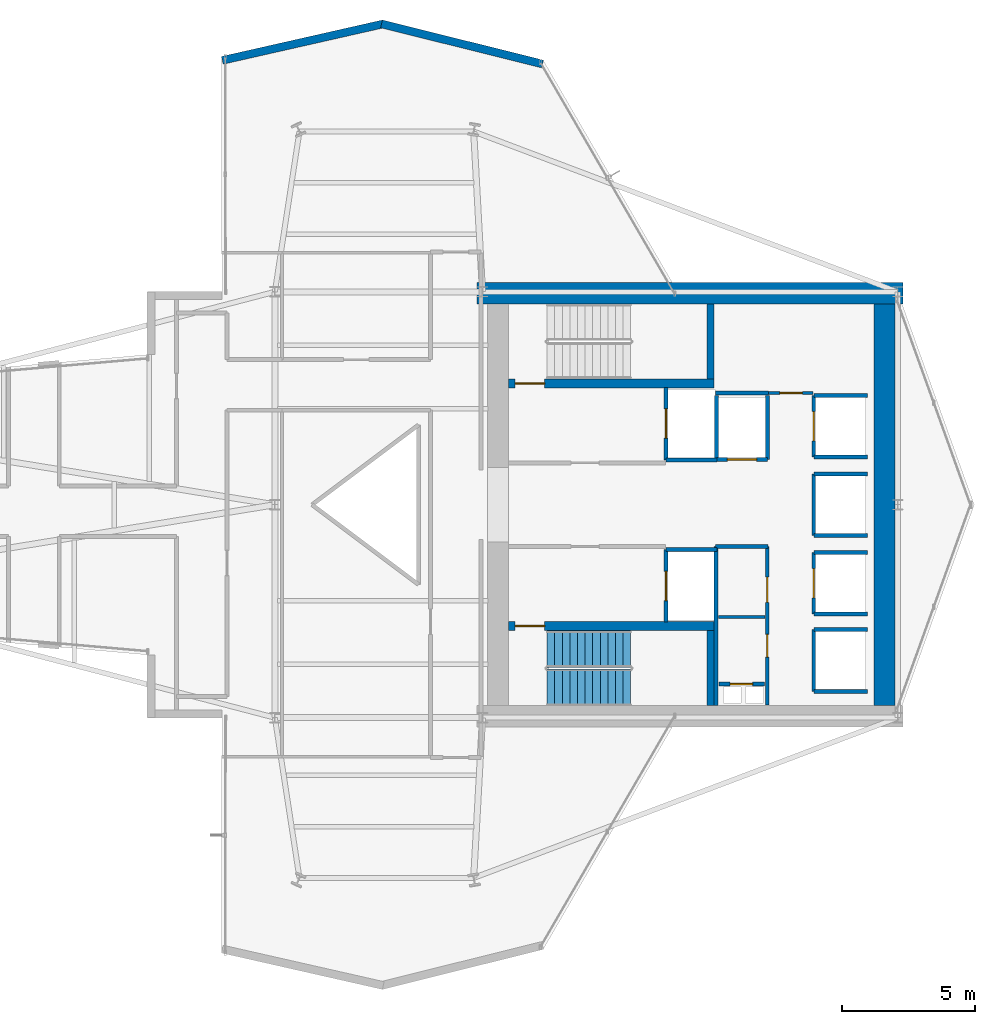
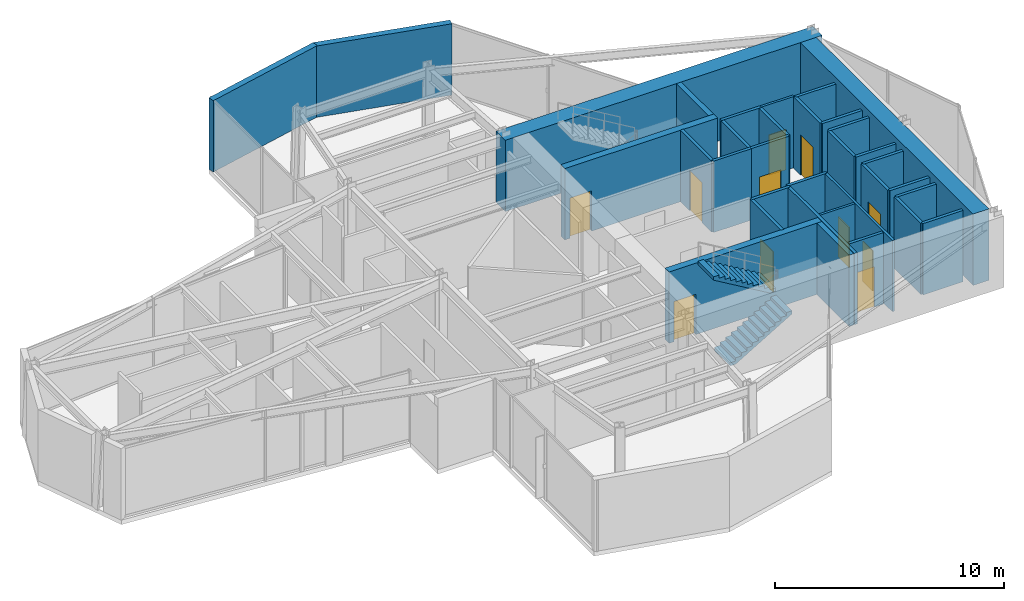
# One storey, part 23 of 25: 34 walls, 11 doors, 2 stair flights, 11 openings, 1 element without a shape of its own.
"""IFC4 building model written with IfcOpenShell, lengths in metres."""

from ifc_helpers import new_model, si_unit, direction, frame, frame_2d, origin, place, context, subcontext, project, spatial, polyline, rectangle, outline, extrude, material, layer, layer_set, type_object, element, fill, aggregate, save


model = new_model("IFC4")

# Units and contexts
model_context = context("Model", 3, precision=1e-05, world=origin(), true_north=direction((0.0, 1.0)))
body_context = subcontext(model_context, "Body", "Model", "MODEL_VIEW")
ifc_project = project(units=[si_unit("LENGTHUNIT", "METRE"), si_unit("AREAUNIT", "SQUARE_METRE"), si_unit("VOLUMEUNIT", "CUBIC_METRE"), si_unit("PLANEANGLEUNIT", "RADIAN"), si_unit("MASSUNIT", "GRAM", prefix="KILO")], contexts=[model_context])

# Site, building, storey
site_placement = place(None, origin())
site = spatial("IfcSite", under=ifc_project, at=site_placement, CompositionType="ELEMENT")
building_placement = place(site_placement, origin())
building = spatial("IfcBuilding", under=site, at=building_placement, Name="Veymaron Broadcast Tower", CompositionType="ELEMENT")
storey_placement = place(building_placement, frame((0.0, 0.0, 173.550048828125)))
storey = spatial("IfcBuildingStorey", under=building, at=storey_placement, Name="L40", CompositionType="ELEMENT", Elevation=173.550048828125)

# Walls
ifc_material_1 = material(Name="Precast concrete C40/50 with mineral-wool insulation", Category="concrete")
ifc_layer_1 = layer(ifc_material_1, 0.300048828125)
ifc_layer_set_1 = layer_set([ifc_layer_1], Name="Precast concrete C40/50 with mineral-wool insulation")
wall_type_1 = type_object("IfcWallType", Name="WALL-EXT-300", PredefinedType="STANDARD", material=ifc_layer_set_1)
wall_1_placement = place(storey_placement, frame((41.254150390625, 40.55810546875, 0.0), z_axis=(0.0, 0.0, 1.0), x_axis=(-0.970319679145, 0.241825805619, 0.0)))
element("IfcWall", 1, at=wall_1_placement, inside=storey, type_object=wall_type_1, Name="L40 notched corner facade pier 6-1", PredefinedType="STANDARD", context=body_context, shape_type="SweptSolid", body=[
    extrude(rectangle(XDim=6.232177734375, YDim=0.300048828125, at=frame_2d((3.1162109375, 0.0))), origin(), (0.0, 0.0, 1.0), 3.81005859375),
])
wall_2_placement = place(storey_placement, frame((35.27197265625, 42.064453125, 0.0), z_axis=(0.0, 0.0, 1.0), x_axis=(-0.975288491541, -0.220935190199, 0.0)))
element("IfcWall", 2, at=wall_2_placement, inside=storey, type_object=wall_type_1, Name="L40 notched corner facade pier 7-1", PredefinedType="STANDARD", context=body_context, shape_type="SweptSolid", body=[
    extrude(rectangle(XDim=6.200439453125, YDim=0.300048828125, at=frame_2d((3.10009765625, 0.0))), origin(), (0.0, 0.0, 1.0), 3.81005859375),
])

# Wall, opening, door
ifc_material_2 = material(Name="Gypsum fireboard and steel stud framing", Category="steel")
ifc_layer_2 = layer(ifc_material_2, 0.14990234375)
ifc_layer_set_2 = layer_set([ifc_layer_2], Name="Gypsum fireboard and steel stud framing")
wall_type_2 = type_object("IfcWallType", Name="WALL-FIRE-150", PredefinedType="PARTITIONING", material=ifc_layer_set_2)
wall_3_placement = place(storey_placement, frame((45.89501953125, 25.68994140625, 0.0), z_axis=(0.0, 0.0, 1.0), x_axis=(0.0, 1.0, 0.0)))
wall_3 = element("IfcWall", 3, at=wall_3_placement, inside=storey, type_object=wall_type_2, Name="L40 partition IW-L40-SHW-FFL-1", PredefinedType="PARTITIONING", context=body_context, shape_type="SweptSolid", body=[
    extrude(rectangle(XDim=2.719970703125, YDim=0.14990234375, at=frame_2d((1.35986328125, 0.0))), origin(), (0.0, 0.0, 1.0), 3.81005859375),
])
opening_1_placement = place(wall_3_placement, frame((0.81005859375, 0.0, 0.0)))
opening_1 = element("IfcOpeningElement", 4, at=opening_1_placement, cuts=wall_3, Name="Opening LD", PredefinedType="OPENING", context=body_context, shape_type="SweptSolid", body=[
    extrude(rectangle(XDim=1.10009765625, YDim=2.14990234375, at=frame_2d((0.550048828125, 1.074951171875))), frame((0.0, 0.0849609375, 0.0), z_axis=(0.0, -1.0, 0.0), x_axis=(1.0, 0.0, 0.0)), (0.0, 0.0, 1.0), 0.169921875),
])
ifc_material_3 = material(Name="Brushed stainless steel AISI 304", Category="steel")
door_type_1 = type_object("IfcDoorType", Name="DOOR-LIFT-1100", OperationType="DOUBLE_DOOR_SLIDING", PredefinedType="DOOR", material=ifc_material_3)
door_1_placement = place(opening_1_placement, frame((1.10009765625, 0.0, 0.0), z_axis=(0.0, 0.0, 1.0), x_axis=(-1.0, 0.0, 0.0)))
door_1 = element("IfcDoor", 5, at=door_1_placement, inside=storey, type_object=door_type_1, Name="L40 door LD-L40-FFL-1", OperationType="DOUBLE_DOOR_SLIDING", OverallHeight=2.14990234375, OverallWidth=1.10009765625, PredefinedType="DOOR", context=body_context, shape_type="SweptSolid", body=[
    extrude(rectangle(XDim=1.10009765625, YDim=2.14990234375, at=frame_2d((0.550048828125, 1.074951171875))), frame((0.0, 0.02490234375, 0.0), z_axis=(0.0, -1.0, 0.0), x_axis=(1.0, 0.0, 0.0)), (0.0, 0.0, 1.0), 0.050048828125),
])
fill(opening_1, door_1)

# Wall
wall_4_placement = place(storey_placement, frame((45.89501953125, 25.68994140625, 0.0), z_axis=(0.0, 0.0, 1.0), x_axis=(1.0, 0.0, 0.0)))
element("IfcWall", 6, at=wall_4_placement, inside=storey, type_object=wall_type_2, Name="L40 partition IW-L40-SHS-FFL-1", PredefinedType="PARTITIONING", context=body_context, shape_type="SweptSolid", body=[
    extrude(rectangle(XDim=1.9150390625, YDim=0.14990234375, at=frame_2d((0.95751953125, 0.0))), origin(), (0.0, 0.0, 1.0), 3.81005859375),
])

# Wall, opening, door
wall_5_placement = place(storey_placement, frame((45.89501953125, 19.590087890625, 0.0), z_axis=(0.0, 0.0, 1.0), x_axis=(0.0, 1.0, 0.0)))
wall_5 = element("IfcWall", 7, at=wall_5_placement, inside=storey, type_object=wall_type_2, Name="L40 partition IW-L40-SHW-FFL-2", PredefinedType="PARTITIONING", context=body_context, shape_type="SweptSolid", body=[
    extrude(rectangle(XDim=2.719970703125, YDim=0.14990234375, at=frame_2d((1.35986328125, 0.0))), origin(), (0.0, 0.0, 1.0), 3.81005859375),
])
opening_2_placement = place(wall_5_placement, frame((0.81005859375, 0.0, 0.0)))
opening_2 = element("IfcOpeningElement", 8, at=opening_2_placement, cuts=wall_5, Name="Opening LD", PredefinedType="OPENING", context=body_context, shape_type="SweptSolid", body=[
    extrude(rectangle(XDim=1.10009765625, YDim=2.14990234375, at=frame_2d((0.550048828125, 1.074951171875))), frame((0.0, 0.0849609375, 0.0), z_axis=(0.0, -1.0, 0.0), x_axis=(1.0, 0.0, 0.0)), (0.0, 0.0, 1.0), 0.169921875),
])
door_2_placement = place(opening_2_placement, frame((1.10009765625, 0.0, 0.0), z_axis=(0.0, 0.0, 1.0), x_axis=(-1.0, 0.0, 0.0)))
door_2 = element("IfcDoor", 9, at=door_2_placement, inside=storey, type_object=door_type_1, Name="L40 door LD-L40-FFL-2", OperationType="DOUBLE_DOOR_SLIDING", OverallHeight=2.14990234375, OverallWidth=1.10009765625, PredefinedType="DOOR", context=body_context, shape_type="SweptSolid", body=[
    extrude(rectangle(XDim=1.10009765625, YDim=2.14990234375, at=frame_2d((0.550048828125, 1.074951171875))), frame((0.0, 0.02490234375, 0.0), z_axis=(0.0, -1.0, 0.0), x_axis=(1.0, 0.0, 0.0)), (0.0, 0.0, 1.0), 0.050048828125),
])
fill(opening_2, door_2)

# Wall
wall_6_placement = place(storey_placement, frame((45.89501953125, 22.31005859375, 0.0), z_axis=(0.0, 0.0, 1.0), x_axis=(1.0, 0.0, 0.0)))
element("IfcWall", 10, at=wall_6_placement, inside=storey, type_object=wall_type_2, Name="L40 partition IW-L40-SHN-FFL-2", PredefinedType="PARTITIONING", context=body_context, shape_type="SweptSolid", body=[
    extrude(rectangle(XDim=1.9150390625, YDim=0.14990234375, at=frame_2d((0.95751953125, 0.0))), origin(), (0.0, 0.0, 1.0), 3.81005859375),
])

# Wall, opening, door
wall_7_placement = place(storey_placement, frame((47.7900390625, 25.695068359375, 0.0), z_axis=(0.0, 0.0, 1.0), x_axis=(1.0, 0.0, 0.0)))
wall_7 = element("IfcWall", 11, at=wall_7_placement, inside=storey, type_object=wall_type_2, Name="L40 partition IW-L40-SHS-SL-1", PredefinedType="PARTITIONING", context=body_context, shape_type="SweptSolid", body=[
    extrude(rectangle(XDim=1.919921875, YDim=0.14990234375, at=frame_2d((0.9599609375, 0.0))), origin(), (0.0, 0.0, 1.0), 3.81005859375),
])
opening_3_placement = place(wall_7_placement, frame((0.409912109375, 0.0, 0.0)))
opening_3 = element("IfcOpeningElement", 12, at=opening_3_placement, cuts=wall_7, Name="Opening LD", PredefinedType="OPENING", context=body_context, shape_type="SweptSolid", body=[
    extrude(rectangle(XDim=1.10009765625, YDim=2.14990234375, at=frame_2d((0.550048828125, 1.074951171875))), frame((0.0, 0.0849609375, 0.0), z_axis=(0.0, -1.0, 0.0), x_axis=(1.0, 0.0, 0.0)), (0.0, 0.0, 1.0), 0.169921875),
])
door_3_placement = place(opening_3_placement, frame((1.10009765625, 0.0, 0.0), z_axis=(0.0, 0.0, 1.0), x_axis=(-1.0, 0.0, 0.0)))
door_3 = element("IfcDoor", 13, at=door_3_placement, inside=storey, type_object=door_type_1, Name="L40 door LD-L40-SL-1", OperationType="DOUBLE_DOOR_SLIDING", OverallHeight=2.14990234375, OverallWidth=1.10009765625, PredefinedType="DOOR", context=body_context, shape_type="SweptSolid", body=[
    extrude(rectangle(XDim=1.10009765625, YDim=2.14990234375, at=frame_2d((0.550048828125, 1.074951171875))), frame((0.0, 0.02490234375, 0.0), z_axis=(0.0, -1.0, 0.0), x_axis=(1.0, 0.0, 0.0)), (0.0, 0.0, 1.0), 0.050048828125),
])
fill(opening_3, door_3)

# Walls
for number, where, z_axis, x_axis, name in (
    (14, (47.7900390625, 25.695068359375, 0.0), (0.0, 0.0, 1.0), (0.0, 1.0, 0.0), "L40 partition IW-L40-SHW-SL-1"),
    (15, (49.7099609375, 25.695068359375, 0.0), (0.0, 0.0, 1.0), (0.0, 1.0, 0.0), "L40 partition IW-L40-SHE-SL-1"),
):
    element("IfcWall", number, at=place(storey_placement, frame(where, z_axis=z_axis, x_axis=x_axis)), inside=storey, type_object=wall_type_2, Name=name, PredefinedType="PARTITIONING", context=body_context, shape_type="SweptSolid", body=[
        extrude(rectangle(XDim=2.4150390625, YDim=0.14990234375, at=frame_2d((1.20751953125, 0.0))), origin(), (0.0, 0.0, 1.0), 3.81005859375),
    ])

# Wall, opening, door
wall_8_placement = place(storey_placement, frame((51.445068359375, 25.7900390625, 0.0), z_axis=(0.0, 0.0, 1.0), x_axis=(0.0, 1.0, 0.0)))
wall_8 = element("IfcWall", 16, at=wall_8_placement, inside=storey, type_object=wall_type_2, Name="L40 partition IW-L40-SHW-PM1", PredefinedType="PARTITIONING", context=body_context, shape_type="SweptSolid", body=[
    extrude(rectangle(XDim=2.320068359375, YDim=0.14990234375, at=frame_2d((1.16015625, 0.0))), origin(), (0.0, 0.0, 1.0), 3.81005859375),
])
opening_4_placement = place(wall_8_placement, frame((0.610107421875, 0.0, 0.0)))
opening_4 = element("IfcOpeningElement", 17, at=opening_4_placement, cuts=wall_8, Name="Opening LD", PredefinedType="OPENING", context=body_context, shape_type="SweptSolid", body=[
    extrude(rectangle(XDim=1.10009765625, YDim=2.14990234375, at=frame_2d((0.550048828125, 1.074951171875))), frame((0.0, 0.0849609375, 0.0), z_axis=(0.0, -1.0, 0.0), x_axis=(1.0, 0.0, 0.0)), (0.0, 0.0, 1.0), 0.169921875),
])
door_4_placement = place(opening_4_placement, frame((1.10009765625, 0.0, 0.0), z_axis=(0.0, 0.0, 1.0), x_axis=(-1.0, 0.0, 0.0)))
door_4 = element("IfcDoor", 18, at=door_4_placement, inside=storey, type_object=door_type_1, Name="L40 door LD-L40-PM1", OperationType="DOUBLE_DOOR_SLIDING", OverallHeight=2.14990234375, OverallWidth=1.10009765625, PredefinedType="DOOR", context=body_context, shape_type="SweptSolid", body=[
    extrude(rectangle(XDim=1.10009765625, YDim=2.14990234375, at=frame_2d((0.550048828125, 1.074951171875))), frame((0.0, 0.02490234375, 0.0), z_axis=(0.0, -1.0, 0.0), x_axis=(1.0, 0.0, 0.0)), (0.0, 0.0, 1.0), 0.050048828125),
])
fill(opening_4, door_4)

# Walls
for number, where, z_axis, x_axis, name in (
    (19, (51.445068359375, 25.7900390625, 0.0), (0.0, 0.0, 1.0), (1.0, 0.0, 0.0), "L40 partition IW-L40-SHS-PM1"),
    (20, (51.445068359375, 28.110107421875, 0.0), (0.0, 0.0, 1.0), (1.0, 0.0, 0.0), "L40 partition IW-L40-SHN-PM1"),
):
    element("IfcWall", number, at=place(storey_placement, frame(where, z_axis=z_axis, x_axis=x_axis)), inside=storey, type_object=wall_type_2, Name=name, PredefinedType="PARTITIONING", context=body_context, shape_type="SweptSolid", body=[
        extrude(rectangle(XDim=2.014892578125, YDim=0.14990234375, at=frame_2d((1.00732421875, 0.0))), origin(), (0.0, 0.0, 1.0), 3.81005859375),
    ])

# Wall, opening, door
wall_9_placement = place(storey_placement, frame((51.445068359375, 19.889892578125, 0.0), z_axis=(0.0, 0.0, 1.0), x_axis=(0.0, 1.0, 0.0)))
wall_9 = element("IfcWall", 21, at=wall_9_placement, inside=storey, type_object=wall_type_2, Name="L40 partition IW-L40-SHW-PM2", PredefinedType="PARTITIONING", context=body_context, shape_type="SweptSolid", body=[
    extrude(rectangle(XDim=2.320068359375, YDim=0.14990234375, at=frame_2d((1.16015625, 0.0))), origin(), (0.0, 0.0, 1.0), 3.81005859375),
])
opening_5_placement = place(wall_9_placement, frame((0.610107421875, 0.0, 0.0)))
opening_5 = element("IfcOpeningElement", 22, at=opening_5_placement, cuts=wall_9, Name="Opening LD", PredefinedType="OPENING", context=body_context, shape_type="SweptSolid", body=[
    extrude(rectangle(XDim=1.10009765625, YDim=2.14990234375, at=frame_2d((0.550048828125, 1.074951171875))), frame((0.0, 0.0849609375, 0.0), z_axis=(0.0, -1.0, 0.0), x_axis=(1.0, 0.0, 0.0)), (0.0, 0.0, 1.0), 0.169921875),
])
door_5_placement = place(opening_5_placement, frame((1.10009765625, 0.0, 0.0), z_axis=(0.0, 0.0, 1.0), x_axis=(-1.0, 0.0, 0.0)))
door_5 = element("IfcDoor", 23, at=door_5_placement, inside=storey, type_object=door_type_1, Name="L40 door LD-L40-PM2", OperationType="DOUBLE_DOOR_SLIDING", OverallHeight=2.14990234375, OverallWidth=1.10009765625, PredefinedType="DOOR", context=body_context, shape_type="SweptSolid", body=[
    extrude(rectangle(XDim=1.10009765625, YDim=2.14990234375, at=frame_2d((0.550048828125, 1.074951171875))), frame((0.0, 0.02490234375, 0.0), z_axis=(0.0, -1.0, 0.0), x_axis=(1.0, 0.0, 0.0)), (0.0, 0.0, 1.0), 0.050048828125),
])
fill(opening_5, door_5)

# Walls
for number, where, z_axis, x_axis, name in (
    (24, (51.445068359375, 19.889892578125, 0.0), (0.0, 0.0, 1.0), (1.0, 0.0, 0.0), "L40 partition IW-L40-SHS-PM2"),
    (25, (51.445068359375, 22.2099609375, 0.0), (0.0, 0.0, 1.0), (1.0, 0.0, 0.0), "L40 partition IW-L40-SHN-PM2"),
):
    element("IfcWall", number, at=place(storey_placement, frame(where, z_axis=z_axis, x_axis=x_axis)), inside=storey, type_object=wall_type_2, Name=name, PredefinedType="PARTITIONING", context=body_context, shape_type="SweptSolid", body=[
        extrude(rectangle(XDim=2.014892578125, YDim=0.14990234375, at=frame_2d((1.00732421875, 0.0))), origin(), (0.0, 0.0, 1.0), 3.81005859375),
    ])
wall_10_placement = place(storey_placement, frame((51.445068359375, 22.840087890625, 0.0), z_axis=(0.0, 0.0, 1.0), x_axis=(0.0, 1.0, 0.0)))
element("IfcWall", 26, at=wall_10_placement, inside=storey, type_object=wall_type_2, Name="L40 partition IW-L40-SHW-PM3", PredefinedType="PARTITIONING", context=body_context, shape_type="SweptSolid", body=[
    extrude(rectangle(XDim=2.31982421875, YDim=0.14990234375, at=frame_2d((1.159912109375, 0.0))), origin(), (0.0, 0.0, 1.0), 3.81005859375),
])
for number, where, z_axis, x_axis, name in (
    (27, (51.445068359375, 22.840087890625, 0.0), (0.0, 0.0, 1.0), (1.0, 0.0, 0.0), "L40 partition IW-L40-SHS-PM3"),
    (28, (51.445068359375, 25.159912109375, 0.0), (0.0, 0.0, 1.0), (1.0, 0.0, 0.0), "L40 partition IW-L40-SHN-PM3"),
):
    element("IfcWall", number, at=place(storey_placement, frame(where, z_axis=z_axis, x_axis=x_axis)), inside=storey, type_object=wall_type_2, Name=name, PredefinedType="PARTITIONING", context=body_context, shape_type="SweptSolid", body=[
        extrude(rectangle(XDim=2.014892578125, YDim=0.14990234375, at=frame_2d((1.00732421875, 0.0))), origin(), (0.0, 0.0, 1.0), 3.81005859375),
    ])
wall_11_placement = place(storey_placement, frame((51.445068359375, 16.989990234375, 0.0), z_axis=(0.0, 0.0, 1.0), x_axis=(0.0, 1.0, 0.0)))
element("IfcWall", 29, at=wall_11_placement, inside=storey, type_object=wall_type_2, Name="L40 partition IW-L40-SHW-PH1", PredefinedType="PARTITIONING", context=body_context, shape_type="SweptSolid", body=[
    extrude(rectangle(XDim=2.320068359375, YDim=0.14990234375, at=frame_2d((1.16015625, 0.0))), origin(), (0.0, 0.0, 1.0), 3.81005859375),
])
for number, where, z_axis, x_axis, name in (
    (30, (51.445068359375, 16.989990234375, 0.0), (0.0, 0.0, 1.0), (1.0, 0.0, 0.0), "L40 partition IW-L40-SHS-PH1"),
    (31, (51.445068359375, 19.31005859375, 0.0), (0.0, 0.0, 1.0), (1.0, 0.0, 0.0), "L40 partition IW-L40-SHN-PH1"),
):
    element("IfcWall", number, at=place(storey_placement, frame(where, z_axis=z_axis, x_axis=x_axis)), inside=storey, type_object=wall_type_2, Name=name, PredefinedType="PARTITIONING", context=body_context, shape_type="SweptSolid", body=[
        extrude(rectangle(XDim=2.014892578125, YDim=0.14990234375, at=frame_2d((1.00732421875, 0.0))), origin(), (0.0, 0.0, 1.0), 3.81005859375),
    ])

# Wall, opening, door
wall_12_placement = place(storey_placement, frame((47.8798828125, 17.260009765625, 0.0), z_axis=(0.0, 0.0, 1.0), x_axis=(1.0, 0.0, 0.0)))
wall_12 = element("IfcWall", 32, at=wall_12_placement, inside=storey, type_object=wall_type_2, Name="L40 partition IW-L40-RIS-N", PredefinedType="PARTITIONING", context=body_context, shape_type="SweptSolid", body=[
    extrude(rectangle(XDim=1.72021484375, YDim=0.14990234375, at=frame_2d((0.860107421875, 0.0))), origin(), (0.0, 0.0, 1.0), 3.81005859375),
])
opening_6_placement = place(wall_12_placement, frame((0.419921875, 0.0, 0.0)))
opening_6 = element("IfcOpeningElement", 33, at=opening_6_placement, cuts=wall_12, Name="Opening ID-RS1", PredefinedType="OPENING", context=body_context, shape_type="SweptSolid", body=[
    extrude(rectangle(XDim=0.85009765625, YDim=2.14990234375, at=frame_2d((0.425048828125, 1.074951171875))), frame((0.0, 0.0849609375, 0.0), z_axis=(0.0, -1.0, 0.0), x_axis=(1.0, 0.0, 0.0)), (0.0, 0.0, 1.0), 0.169921875),
])
ifc_material_4 = material(Name="Fire-rated powder-coated steel riser leaf", Category="steel")
door_type_2 = type_object("IfcDoorType", Name="DOOR-RIS-850", OperationType="NOTDEFINED", PredefinedType="TRAPDOOR", material=ifc_material_4)
door_6_placement = place(opening_6_placement, origin())
door_6 = element("IfcDoor", 34, at=door_6_placement, inside=storey, type_object=door_type_2, Name="L40 door DR-L40-RIS", OperationType="SINGLE_SWING_LEFT", OverallHeight=2.14990234375, OverallWidth=0.85009765625, PredefinedType="TRAPDOOR", context=body_context, shape_type="SweptSolid", body=[
    extrude(rectangle(XDim=0.85009765625, YDim=2.14990234375, at=frame_2d((0.425048828125, 1.074951171875))), frame((0.0, 0.02490234375, 0.0), z_axis=(0.0, -1.0, 0.0), x_axis=(1.0, 0.0, 0.0)), (0.0, 0.0, 1.0), 0.050048828125),
])
fill(opening_6, door_6)

# Walls
wall_13_placement = place(storey_placement, frame((47.760009765625, 22.425048828125, 0.0), z_axis=(0.0, 0.0, 1.0), x_axis=(1.0, 0.0, 0.0)))
element("IfcWall", 35, at=wall_13_placement, inside=storey, type_object=wall_type_2, Name="L40 partition IW-L40-SM-N", PredefinedType="PARTITIONING", context=body_context, shape_type="SweptSolid", body=[
    extrude(rectangle(XDim=1.9599609375, YDim=0.14990234375, at=frame_2d((0.97998046875, 0.0))), origin(), (0.0, 0.0, 1.0), 3.81005859375),
])
wall_14_placement = place(storey_placement, frame((47.780029296875, 16.449951171875, 0.0), z_axis=(0.0, 0.0, 1.0), x_axis=(0.0, 1.0, 0.0)))
element("IfcWall", 36, at=wall_14_placement, inside=storey, type_object=wall_type_2, Name="L40 partition IW-L40-SM-W", PredefinedType="PARTITIONING", context=body_context, shape_type="SweptSolid", body=[
    extrude(rectangle(XDim=5.97509765625, YDim=0.14990234375, at=frame_2d((2.987548828125, 0.0))), origin(), (0.0, 0.0, 1.0), 3.81005859375),
])
wall_15_placement = place(storey_placement, frame((47.760009765625, 28.199951171875, 0.0), z_axis=(0.0, 0.0, 1.0), x_axis=(1.0, 0.0, 0.0)))
element("IfcWall", 37, at=wall_15_placement, inside=storey, type_object=wall_type_2, Name="L40 partition IW-L40-F1-SW", PredefinedType="PARTITIONING", context=body_context, shape_type="SweptSolid", body=[
    extrude(rectangle(XDim=1.989990234375, YDim=0.14990234375, at=frame_2d((0.9951171875, 0.0))), origin(), (0.0, 0.0, 1.0), 3.81005859375),
])
ifc_material_5 = material(Name="Acoustic gypsum board and galvanized stud", Category="gypsum")
ifc_layer_3 = layer(ifc_material_5, 0.1201171875)
ifc_layer_set_3 = layer_set([ifc_layer_3], Name="Acoustic gypsum board and galvanized stud")
wall_type_3 = type_object("IfcWallType", Name="WALL-PART-120", PredefinedType="PARTITIONING", material=ifc_layer_set_3)
wall_16_placement = place(storey_placement, frame((47.860107421875, 19.780029296875, 0.0), z_axis=(0.0, 0.0, 1.0), x_axis=(1.0, 0.0, 0.0)))
element("IfcWall", 38, at=wall_16_placement, inside=storey, type_object=wall_type_3, Name="L40 partition IW-L40-SM-DIV", PredefinedType="PARTITIONING", context=body_context, shape_type="SweptSolid", body=[
    extrude(rectangle(XDim=1.760009765625, YDim=0.1201171875, at=frame_2d((0.8798828125, 0.0))), origin(), (0.0, 0.0, 1.0), 3.81005859375),
])

# Wall, openings, doors
wall_17_placement = place(storey_placement, frame((49.699951171875, 16.47998046875, 0.0), z_axis=(0.0, 0.0, 1.0), x_axis=(0.0, 1.0, 0.0)))
wall_17 = element("IfcWall", 39, at=wall_17_placement, inside=storey, type_object=wall_type_3, Name="L40 partition IW-L40-SM-E", PredefinedType="PARTITIONING", context=body_context, shape_type="SweptSolid", body=[
    extrude(rectangle(XDim=5.945068359375, YDim=0.1201171875, at=frame_2d((2.97265625, 0.0))), origin(), (0.0, 0.0, 1.0), 3.81005859375),
])
opening_7_placement = place(wall_17_placement, frame((1.800048828125, 0.0, 0.0)))
opening_7 = element("IfcOpeningElement", 40, at=opening_7_placement, cuts=wall_17, Name="Opening ID-WC1", PredefinedType="OPENING", context=body_context, shape_type="SweptSolid", body=[
    extrude(rectangle(XDim=0.85009765625, YDim=2.14990234375, at=frame_2d((0.425048828125, 1.074951171875))), frame((0.0, 0.070068359375, 0.0), z_axis=(0.0, -1.0, 0.0), x_axis=(1.0, 0.0, 0.0)), (0.0, 0.0, 1.0), 0.14013671875),
])
opening_8_placement = place(wall_17_placement, frame((3.85009765625, 0.0, 0.0)))
opening_8 = element("IfcOpeningElement", 41, at=opening_8_placement, cuts=wall_17, Name="Opening ID-RM1", PredefinedType="OPENING", context=body_context, shape_type="SweptSolid", body=[
    extrude(rectangle(XDim=0.949951171875, YDim=2.14990234375, at=frame_2d((0.47509765625, 1.074951171875))), frame((0.0, 0.070068359375, 0.0), z_axis=(0.0, -1.0, 0.0), x_axis=(1.0, 0.0, 0.0)), (0.0, 0.0, 1.0), 0.14013671875),
])
ifc_material_6 = material(Name="Moisture-resistant high-pressure laminate timber", Category="wood")
door_type_3 = type_object("IfcDoorType", Name="DOOR-INT-850", OperationType="NOTDEFINED", PredefinedType="DOOR", material=ifc_material_6)
door_7_placement = place(opening_7_placement, frame((0.85009765625, 0.0, 0.0), z_axis=(0.0, 0.0, 1.0), x_axis=(-1.0, 0.0, 0.0)))
door_7 = element("IfcDoor", 42, at=door_7_placement, inside=storey, type_object=door_type_3, Name="L40 door DR-L40-SWC", OperationType="SINGLE_SWING_LEFT", OverallHeight=2.14990234375, OverallWidth=0.85009765625, PredefinedType="DOOR", context=body_context, shape_type="SweptSolid", body=[
    extrude(rectangle(XDim=0.85009765625, YDim=2.14990234375, at=frame_2d((0.425048828125, 1.074951171875))), frame((0.0, 0.02490234375, 0.0), z_axis=(0.0, -1.0, 0.0), x_axis=(1.0, 0.0, 0.0)), (0.0, 0.0, 1.0), 0.050048828125),
])
fill(opening_7, door_7)
ifc_material_7 = material(Name="Acoustic solid-core European oak veneer timber", Category="wood")
door_type_4 = type_object("IfcDoorType", Name="DOOR-INT-950", OperationType="NOTDEFINED", PredefinedType="DOOR", material=ifc_material_7)
door_8_placement = place(opening_8_placement, frame((0.949951171875, 0.0, 0.0), z_axis=(0.0, 0.0, 1.0), x_axis=(-1.0, 0.0, 0.0)))
door_8 = element("IfcDoor", 43, at=door_8_placement, inside=storey, type_object=door_type_4, Name="L40 door DR-L40-AWC", OperationType="SINGLE_SWING_RIGHT", OverallHeight=2.14990234375, OverallWidth=0.949951171875, PredefinedType="DOOR", context=body_context, shape_type="SweptSolid", body=[
    extrude(rectangle(XDim=0.949951171875, YDim=2.14990234375, at=frame_2d((0.47509765625, 1.074951171875))), frame((0.0, 0.02490234375, 0.0), z_axis=(0.0, -1.0, 0.0), x_axis=(1.0, 0.0, 0.0)), (0.0, 0.0, 1.0), 0.050048828125),
])
fill(opening_8, door_8)

# Wall, opening, door
wall_18_placement = place(storey_placement, frame((49.75, 28.199951171875, 0.0), z_axis=(0.0, 0.0, 1.0), x_axis=(1.0, 0.0, 0.0)))
wall_18 = element("IfcWall", 44, at=wall_18_placement, inside=storey, type_object=wall_type_3, Name="L40 partition IW-L40-F1-S", PredefinedType="PARTITIONING", context=body_context, shape_type="SweptSolid", body=[
    extrude(rectangle(XDim=1.669921875, YDim=0.1201171875, at=frame_2d((0.8349609375, 0.0))), origin(), (0.0, 0.0, 1.0), 3.81005859375),
])
opening_9_placement = place(wall_18_placement, frame((0.419921875, 0.0, 0.0)))
opening_9 = element("IfcOpeningElement", 45, at=opening_9_placement, cuts=wall_18, Name="Opening ID-WC1", PredefinedType="OPENING", context=body_context, shape_type="SweptSolid", body=[
    extrude(rectangle(XDim=0.85009765625, YDim=2.14990234375, at=frame_2d((0.425048828125, 1.074951171875))), frame((0.0, 0.070068359375, 0.0), z_axis=(0.0, -1.0, 0.0), x_axis=(1.0, 0.0, 0.0)), (0.0, 0.0, 1.0), 0.14013671875),
])
door_9_placement = place(opening_9_placement, origin())
door_9 = element("IfcDoor", 46, at=door_9_placement, inside=storey, type_object=door_type_3, Name="L40 door DR-L40-F1A", OperationType="SINGLE_SWING_LEFT", OverallHeight=2.14990234375, OverallWidth=0.85009765625, PredefinedType="DOOR", context=body_context, shape_type="SweptSolid", body=[
    extrude(rectangle(XDim=0.85009765625, YDim=2.14990234375, at=frame_2d((0.425048828125, 1.074951171875))), frame((0.0, 0.02490234375, 0.0), z_axis=(0.0, -1.0, 0.0), x_axis=(1.0, 0.0, 0.0)), (0.0, 0.0, 1.0), 0.050048828125),
])
fill(opening_9, door_9)

# Walls
ifc_material_8 = material(Name="Concrete C50/60", Category="concrete")
ifc_layer_4 = layer(ifc_material_8, 0.25)
ifc_layer_set_4 = layer_set([ifc_layer_4], Name="Concrete C50/60")
wall_type_4 = type_object("IfcWallType", Name="WALL-SHEAR-250", PredefinedType="SHEAR", material=ifc_layer_set_4)
for number, where, z_axis, x_axis, name in (
    (47, (47.56494140625, 28.72998046875, 0.0), (0.0, 0.0, 1.0), (0.0, 1.0, 0.0), "L40 Core Wall north stair east shear"),
    (48, (47.56494140625, 16.449951171875, 0.0), (0.0, 0.0, 1.0), (0.0, 1.0, 0.0), "L40 Core Wall south stair east shear"),
):
    element("IfcWall", number, at=place(storey_placement, frame(where, z_axis=z_axis, x_axis=x_axis)), inside=storey, type_object=wall_type_4, Name=name, PredefinedType="SHEAR", context=body_context, shape_type="SweptSolid", body=[
        extrude(rectangle(XDim=2.820068359375, YDim=0.25, at=frame_2d((1.41015625, 0.0))), origin(), (0.0, 0.0, 1.0), 3.81005859375),
    ])

# Wall, opening, door
ifc_layer_5 = layer(ifc_material_8, 0.35009765625)
ifc_layer_set_5 = layer_set([ifc_layer_5], Name="Concrete C50/60")
wall_type_5 = type_object("IfcWallType", Name="WALL-SHEAR-350", PredefinedType="SHEAR", material=ifc_layer_set_5)
wall_19_placement = place(storey_placement, frame((39.97998046875, 28.554931640625, 0.0), z_axis=(0.0, 0.0, 1.0), x_axis=(1.0, 0.0, 0.0)))
wall_19 = element("IfcWall", 49, at=wall_19_placement, inside=storey, type_object=wall_type_5, Name="L40 Core Wall north stair spine", PredefinedType="SHEAR", context=body_context, shape_type="SweptSolid", body=[
    extrude(rectangle(XDim=7.7099609375, YDim=0.35009765625, at=frame_2d((3.85498046875, 0.0))), origin(), (0.0, 0.0, 1.0), 3.81005859375),
])
opening_10_placement = place(wall_19_placement, frame((0.25, 0.0, 0.0)))
opening_10 = element("IfcOpeningElement", 50, at=opening_10_placement, cuts=wall_19, Name="Opening ID-ST1", PredefinedType="OPENING", context=body_context, shape_type="SweptSolid", body=[
    extrude(rectangle(XDim=1.10009765625, YDim=2.14990234375, at=frame_2d((0.550048828125, 1.074951171875))), frame((0.0, 0.18505859375, 0.0), z_axis=(0.0, -1.0, 0.0), x_axis=(1.0, 0.0, 0.0)), (0.0, 0.0, 1.0), 0.3701171875),
])
ifc_material_9 = material(Name="Fire-rated painted hollow steel ASTM A653", Category="steel")
door_type_5 = type_object("IfcDoorType", Name="DOOR-STAIR-1100", OperationType="NOTDEFINED", PredefinedType="DOOR", material=ifc_material_9)
door_10_placement = place(opening_10_placement, origin())
door_10 = element("IfcDoor", 51, at=door_10_placement, inside=storey, type_object=door_type_5, Name="L40 exit stair ST1 fire door", OperationType="SINGLE_SWING_LEFT", OverallHeight=2.14990234375, OverallWidth=1.10009765625, PredefinedType="DOOR", context=body_context, shape_type="SweptSolid", body=[
    extrude(rectangle(XDim=1.10009765625, YDim=2.14990234375, at=frame_2d((0.550048828125, 1.074951171875))), frame((0.0, 0.02490234375, 0.0), z_axis=(0.0, -1.0, 0.0), x_axis=(1.0, 0.0, 0.0)), (0.0, 0.0, 1.0), 0.050048828125),
])
fill(opening_10, door_10)

wall_20_placement = place(storey_placement, frame((39.97998046875, 19.445068359375, 0.0), z_axis=(0.0, 0.0, 1.0), x_axis=(1.0, 0.0, 0.0)))
wall_20 = element("IfcWall", 52, at=wall_20_placement, inside=storey, type_object=wall_type_5, Name="L40 Core Wall south stair spine", PredefinedType="SHEAR", context=body_context, shape_type="SweptSolid", body=[
    extrude(rectangle(XDim=7.7099609375, YDim=0.35009765625, at=frame_2d((3.85498046875, 0.0))), origin(), (0.0, 0.0, 1.0), 3.81005859375),
])
opening_11_placement = place(wall_20_placement, frame((0.25, 0.0, 0.0)))
opening_11 = element("IfcOpeningElement", 53, at=opening_11_placement, cuts=wall_20, Name="Opening ID-ST1", PredefinedType="OPENING", context=body_context, shape_type="SweptSolid", body=[
    extrude(rectangle(XDim=1.10009765625, YDim=2.14990234375, at=frame_2d((0.550048828125, 1.074951171875))), frame((0.0, 0.18505859375, 0.0), z_axis=(0.0, -1.0, 0.0), x_axis=(1.0, 0.0, 0.0)), (0.0, 0.0, 1.0), 0.3701171875),
])
door_11_placement = place(opening_11_placement, frame((1.10009765625, 0.0, 0.0), z_axis=(0.0, 0.0, 1.0), x_axis=(-1.0, 0.0, 0.0)))
door_11 = element("IfcDoor", 54, at=door_11_placement, inside=storey, type_object=door_type_5, Name="L40 exit stair ST2 fire door", OperationType="SINGLE_SWING_RIGHT", OverallHeight=2.14990234375, OverallWidth=1.10009765625, PredefinedType="DOOR", context=body_context, shape_type="SweptSolid", body=[
    extrude(rectangle(XDim=1.10009765625, YDim=2.14990234375, at=frame_2d((0.550048828125, 1.074951171875))), frame((0.0, 0.02490234375, 0.0), z_axis=(0.0, -1.0, 0.0), x_axis=(1.0, 0.0, 0.0)), (0.0, 0.0, 1.0), 0.050048828125),
])
fill(opening_11, door_11)

# Walls
ifc_material_10 = material(Name="Concrete C60/75", Category="concrete")
ifc_layer_6 = layer(ifc_material_10, 0.800048828125)
ifc_layer_set_6 = layer_set([ifc_layer_6], Name="Concrete C60/75")
wall_type_6 = type_object("IfcWallType", Name="WALL-SHEAR-800", PredefinedType="SHEAR", material=ifc_layer_set_6)
wall_21_placement = place(storey_placement, frame((38.800048828125, 31.949951171875, 0.0), z_axis=(0.0, 0.0, 1.0), x_axis=(1.0, 0.0, 0.0)))
element("IfcWall", 55, at=wall_21_placement, inside=storey, type_object=wall_type_6, Name="L40 Core Wall north shear", PredefinedType="SHEAR", context=body_context, shape_type="SweptSolid", body=[
    extrude(rectangle(XDim=16.0, YDim=0.800048828125, at=frame_2d((8.0, 0.0))), origin(), (0.0, 0.0, 1.0), 3.81005859375),
])
wall_22_placement = place(storey_placement, frame((54.10009765625, 16.449951171875, 0.0), z_axis=(0.0, 0.0, 1.0), x_axis=(0.0, 1.0, 0.0)))
element("IfcWall", 56, at=wall_22_placement, inside=storey, type_object=wall_type_6, Name="L40 Core Wall east shear", PredefinedType="SHEAR", context=body_context, shape_type="SweptSolid", body=[
    extrude(rectangle(XDim=15.10009765625, YDim=0.800048828125, at=frame_2d((7.550048828125, 0.0))), origin(), (0.0, 0.0, 1.0), 3.81005859375),
])

# Stair, stair flights
stair_type = type_object("IfcStairType", Name="STAIR-CORE-2", PredefinedType="HALF_TURN_STAIR", material=ifc_material_8)
stair_placement = place(storey_placement, origin())
stair = element("IfcStair", 57, at=stair_placement, inside=storey, type_object=stair_type, Name="L40 South protected dog-leg exit stair ST2", PredefinedType="HALF_TURN_STAIR")
ifc_material_11 = material(Name="Precast concrete C50/60", Category="concrete")
stair_flight_type = type_object("IfcStairFlightType", Name="FLT-CORE-RC", PredefinedType="STRAIGHT", material=ifc_material_11)
stair_flight_1_placement = place(storey_placement, frame((41.429931640625, 17.139892578125, 0.0), z_axis=(0.0, 0.0, 1.0), x_axis=(1.0, 0.0, 0.0)))
stair_flight_1 = element("IfcStairFlight", 58, at=stair_flight_1_placement, type_object=stair_flight_type, Name="ST2 flight 1", NumberOfRisers=12, NumberOfTreads=11, PredefinedType="STRAIGHT", RiserHeight=0.16875, TreadLength=0.285, context=body_context, shape_type="SweptSolid", body=[
    extrude(outline(polyline([(0.0, 0.0), (0.0, 0.168701171875), (0.284912109375, 0.168701171875), (0.284912109375, 0.33740234375), (0.570068359375, 0.33740234375), (0.570068359375, 0.50634765625), (0.85498046875, 0.50634765625), (0.85498046875, 0.675048828125), (1.139892578125, 0.675048828125), (1.139892578125, 0.84375), (1.425048828125, 0.84375), (1.425048828125, 1.012451171875), (1.7099609375, 1.012451171875), (1.7099609375, 1.18115234375), (1.9951171875, 1.18115234375), (1.9951171875, 1.35009765625), (2.280029296875, 1.35009765625), (2.280029296875, 1.518798828125), (2.56494140625, 1.518798828125), (2.56494140625, 1.6875), (2.85009765625, 1.6875), (2.85009765625, 1.856201171875), (3.135009765625, 1.856201171875), (3.135009765625, 2.02490234375), (3.135009765625, 1.68212890625), (0.294189453125, 0.0), (0.0, 0.0)])), frame((0.0, 0.68994140625, 0.0), z_axis=(0.0, -1.0, 0.0), x_axis=(1.0, 0.0, 0.0)), (0.0, 0.0, 1.0), 1.3798828125),
])
stair_flight_2_placement = place(storey_placement, frame((44.56494140625, 18.580078125, 2.02490234375), z_axis=(0.0, 0.0, 1.0), x_axis=(-1.0, 0.0, 0.0)))
stair_flight_2 = element("IfcStairFlight", 59, at=stair_flight_2_placement, type_object=stair_flight_type, Name="ST2 flight 2", NumberOfRisers=12, NumberOfTreads=11, PredefinedType="STRAIGHT", RiserHeight=0.16875, TreadLength=0.285, context=body_context, shape_type="SweptSolid", body=[
    extrude(outline(polyline([(0.0, 0.0), (0.0, 0.168701171875), (0.284912109375, 0.168701171875), (0.284912109375, 0.33740234375), (0.570068359375, 0.33740234375), (0.570068359375, 0.50634765625), (0.85498046875, 0.50634765625), (0.85498046875, 0.675048828125), (1.139892578125, 0.675048828125), (1.139892578125, 0.84375), (1.425048828125, 0.84375), (1.425048828125, 1.012451171875), (1.7099609375, 1.012451171875), (1.7099609375, 1.18115234375), (1.9951171875, 1.18115234375), (1.9951171875, 1.35009765625), (2.280029296875, 1.35009765625), (2.280029296875, 1.518798828125), (2.56494140625, 1.518798828125), (2.56494140625, 1.6875), (2.85009765625, 1.6875), (2.85009765625, 1.856201171875), (3.135009765625, 1.856201171875), (3.135009765625, 2.02490234375), (3.135009765625, 1.68212890625), (0.294189453125, 0.0), (0.0, 0.0)])), frame((0.0, 0.68994140625, 0.0), z_axis=(0.0, -1.0, 0.0), x_axis=(1.0, 0.0, 0.0)), (0.0, 0.0, 1.0), 1.3798828125),
])
aggregate(stair, [stair_flight_1, stair_flight_2])

save(model, "model.ifc")
